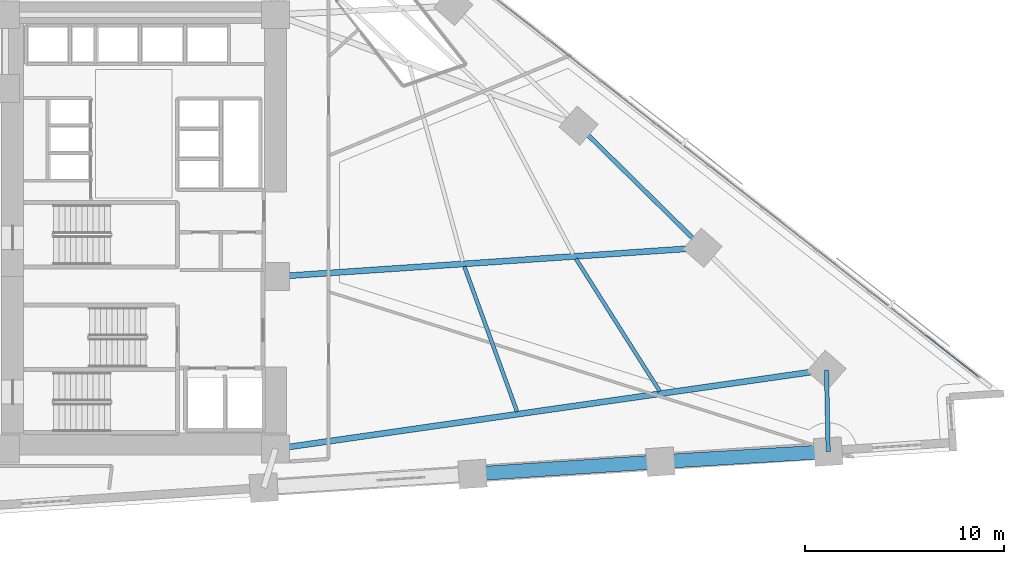
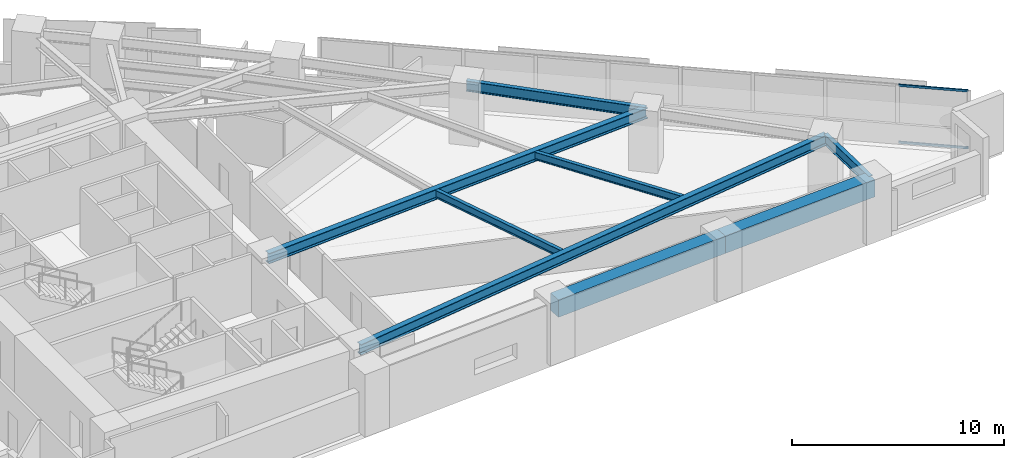
# One storey, part 3 of 16: 8 beams, 2 members, 1 element without a shape of its own.
"""IFC4 building model written with IfcOpenShell, lengths in metres."""

from ifc_helpers import new_model, si_unit, direction, frame, origin, origin_2d, place, context, subcontext, project, spatial, rectangle, hollow_rectangle, i_section, extrude, material, material_profile, profile_set, type_object, element, aggregate, save


model = new_model("IFC4")

# Units and contexts
model_context = context("Model", 3, precision=1e-05, world=origin(), true_north=direction((0.0, 1.0)))
body_context = subcontext(model_context, "Body", "Model", "MODEL_VIEW")
ifc_project = project(units=[si_unit("LENGTHUNIT", "METRE"), si_unit("AREAUNIT", "SQUARE_METRE"), si_unit("VOLUMEUNIT", "CUBIC_METRE"), si_unit("PLANEANGLEUNIT", "RADIAN"), si_unit("MASSUNIT", "GRAM", prefix="KILO")], contexts=[model_context])

# Site, building, storey
site_placement = place(None, origin())
site = spatial("IfcSite", under=ifc_project, at=site_placement, CompositionType="ELEMENT")
building_placement = place(site_placement, origin())
building = spatial("IfcBuilding", under=site, at=building_placement, Name="Narakoshi Arena Tower", CompositionType="ELEMENT")
storey_placement = place(building_placement, frame((0.0, 0.0, 77.699951171875)))
storey = spatial("IfcBuildingStorey", under=building, at=storey_placement, Name="L20", CompositionType="ELEMENT", Elevation=77.699951171875)

# Beams
ifc_material_1 = material(Name="Concrete C60/75", Category="concrete")
ifc_material_profile_1 = material_profile(ifc_material_1, rectangle(XDim=0.699951171875, YDim=1.0, at=origin_2d()), Name="RCB700x1000")
ifc_profile_set_1 = profile_set([ifc_material_profile_1], Name="Concrete C60/75")
beam_type_1 = type_object("IfcBeamType", Name="BM-CPL-1000", PredefinedType="BEAM", material=ifc_profile_set_1)
beam_1_placement = place(storey_placement, frame((95.44189453125, 33.43798828125, 2.840087890625), z_axis=(0.997857667494, 0.065422285367, 0.0), x_axis=(-0.065422285367, 0.997857667494, 0.0)))
element("IfcBeam", 1, at=beam_1_placement, inside=storey, type_object=beam_type_1, Name="L20 Perimeter Edge Girder 02", PredefinedType="BEAM", context=body_context, shape_type="SweptSolid", body=[
    extrude(rectangle(XDim=0.699951171875, YDim=1.0, at=origin_2d()), origin(), (0.0, 0.0, 1.0), 9.456298828125),
])
beam_2_placement = place(storey_placement, frame((104.8779296875, 34.056640625, 2.840087890625), z_axis=(0.998193929855, 0.060073941104, 0.0), x_axis=(-0.060073941104, 0.998193929855, 0.0)))
element("IfcBeam", 2, at=beam_2_placement, inside=storey, type_object=beam_type_1, Name="L20 Perimeter Edge Girder 03", PredefinedType="BEAM", context=body_context, shape_type="SweptSolid", body=[
    extrude(rectangle(XDim=0.699951171875, YDim=1.0, at=origin_2d()), origin(), (0.0, 0.0, 1.0), 8.436767578125),
])
ifc_material_2 = material(Name="Structural steel S355J2", Category="steel")
ifc_material_profile_2 = material_profile(ifc_material_2, i_section(OverallWidth=0.219970703125, OverallDepth=0.60009765625, WebThickness=0.011962890625, FlangeThickness=0.01904296875, FilletRadius=0.02392578125, at=origin_2d()), Name="IPE600")
ifc_profile_set_2 = profile_set([ifc_material_profile_2], Name="Structural steel S355J2")
beam_type_2 = type_object("IfcBeamType", Name="BM-EDGE-600", PredefinedType="BEAM", material=ifc_profile_set_2)
beam_3_placement = place(storey_placement, frame((113.299560546875, 34.5634765625, 3.0400390625), z_axis=(-0.020272933264, 0.99979448297, 0.0), x_axis=(-0.99979448297, -0.020272933264, 0.0)))
element("IfcBeam", 3, at=beam_3_placement, inside=storey, type_object=beam_type_2, Name="L20 Perimeter Edge Girder 04", PredefinedType="BEAM", context=body_context, shape_type="SweptSolid", body=[
    extrude(i_section(OverallWidth=0.219970703125, OverallDepth=0.60009765625, WebThickness=0.011962890625, FlangeThickness=0.01904296875, FilletRadius=0.02392578125, at=origin_2d()), origin(), (0.0, 0.0, 1.0), 4.1064453125),
])
beam_4_placement = place(storey_placement, frame((106.989990234375, 44.800537109375, 3.0400390625), z_axis=(-0.71256144736, 0.701609708981, 0.0), x_axis=(-0.701609708981, -0.71256144736, 0.0)))
element("IfcBeam", 4, at=beam_4_placement, inside=storey, type_object=beam_type_2, Name="L20 Perimeter Edge Girder 06", PredefinedType="BEAM", context=body_context, shape_type="SweptSolid", body=[
    extrude(i_section(OverallWidth=0.219970703125, OverallDepth=0.60009765625, WebThickness=0.011962890625, FlangeThickness=0.01904296875, FilletRadius=0.02392578125, at=origin_2d()), origin(), (0.0, 0.0, 1.0), 8.738525390625),
])
ifc_material_profile_3 = material_profile(ifc_material_2, i_section(OverallWidth=0.300048828125, OverallDepth=0.60009765625, WebThickness=0.015380859375, FlangeThickness=0.030029296875, FilletRadius=0.027099609375, at=origin_2d()), Name="HE600B")
ifc_profile_set_3 = profile_set([ifc_material_profile_3], Name="Structural steel S355J2")
beam_type_3 = type_object("IfcBeamType", Name="BM-PRI-600", PredefinedType="BEAM", material=ifc_profile_set_3)
beam_5_placement = place(storey_placement, frame((85.550048828125, 34.699951171875, 3.0400390625), z_axis=(0.989864586002, 0.142014440741, 0.0), x_axis=(-0.142014440741, 0.989864586002, 0.0)))
element("IfcBeam", 5, at=beam_5_placement, inside=storey, type_object=beam_type_3, Name="L20 Radial Primary Floor Girder 05", PredefinedType="BEAM", context=body_context, shape_type="SweptSolid", body=[
    extrude(i_section(OverallWidth=0.300048828125, OverallDepth=0.60009765625, WebThickness=0.015380859375, FlangeThickness=0.030029296875, FilletRadius=0.027099609375, at=origin_2d()), origin(), (0.0, 0.0, 1.0), 27.949462890625),
])
beam_6_placement = place(storey_placement, frame((85.550048828125, 43.35009765625, 3.0400390625), z_axis=(0.997719477205, 0.067496998498, 0.0), x_axis=(-0.067496998498, 0.997719477205, 0.0)))
element("IfcBeam", 6, at=beam_6_placement, inside=storey, type_object=beam_type_3, Name="L20 Radial Primary Floor Girder 06", PredefinedType="BEAM", context=body_context, shape_type="SweptSolid", body=[
    extrude(i_section(OverallWidth=0.300048828125, OverallDepth=0.60009765625, WebThickness=0.015380859375, FlangeThickness=0.030029296875, FilletRadius=0.027099609375, at=origin_2d()), origin(), (0.0, 0.0, 1.0), 21.489013671875),
])
ifc_material_profile_4 = material_profile(ifc_material_2, i_section(OverallWidth=0.18994140625, OverallDepth=0.449951171875, WebThickness=0.009521484375, FlangeThickness=0.0146484375, FilletRadius=0.02099609375, at=origin_2d()), Name="IPE450")
ifc_profile_set_4 = profile_set([ifc_material_profile_4], Name="Structural steel S355J2")
beam_type_4 = type_object("IfcBeamType", Name="BM-SEC-450", PredefinedType="JOIST", material=ifc_profile_set_4)
beam_7_placement = place(storey_placement, frame((97.677001953125, 36.573486328125, 3.114990234375), z_axis=(-0.341439671646, 0.939903692208, 0.0), x_axis=(-0.939903692208, -0.341439671646, 0.0)))
element("IfcBeam", 7, at=beam_7_placement, inside=storey, type_object=beam_type_4, Name="L20 Composite Secondary Floor Joist 01", PredefinedType="JOIST", context=body_context, shape_type="SweptSolid", body=[
    extrude(i_section(OverallWidth=0.18994140625, OverallDepth=0.449951171875, WebThickness=0.009521484375, FlangeThickness=0.0146484375, FilletRadius=0.02099609375, at=origin_2d()), origin(), (0.0, 0.0, 1.0), 7.75390625),
])
beam_8_placement = place(storey_placement, frame((104.84423828125, 37.592529296875, 3.114990234375), z_axis=(-0.534774912476, 0.844994552046, 0.0), x_axis=(-0.844994552046, -0.534774912476, 0.0)))
element("IfcBeam", 8, at=beam_8_placement, inside=storey, type_object=beam_type_4, Name="L20 Composite Secondary Floor Joist 02", PredefinedType="JOIST", context=body_context, shape_type="SweptSolid", body=[
    extrude(i_section(OverallWidth=0.18994140625, OverallDepth=0.449951171875, WebThickness=0.009521484375, FlangeThickness=0.0146484375, FilletRadius=0.02099609375, at=origin_2d()), origin(), (0.0, 0.0, 1.0), 7.880126953125),
])

# Curtain wall, members
ifc_material_3 = material(Name="Anodised bronze aluminium 6063-T6", Category="aluminium")
curtain_wall_type = type_object("IfcCurtainWallType", Name="CW-HYP-LOW", PredefinedType="NOTDEFINED", material=ifc_material_3)
curtain_wall_placement = place(storey_placement, origin())
curtain_wall = element("IfcCurtainWall", 9, at=curtain_wall_placement, inside=storey, type_object=curtain_wall_type, Name="L20 Folded Hypotenuse Curtain Wall 1-1", PredefinedType="NOTDEFINED")
ifc_material_profile_5 = material_profile(ifc_material_3, hollow_rectangle(XDim=0.06494140625, YDim=0.1298828125, WallThickness=0.00390625, OuterFilletRadius=0.0048828125, at=origin_2d()), Name="TRN130x65x4")
ifc_profile_set_5 = profile_set([ifc_material_profile_5], Name="Anodised bronze aluminium 6063-T6")
member_type = type_object("IfcMemberType", Name="MEM-TRN-130", PredefinedType="USERDEFINED", material=ifc_profile_set_5)
member_1_placement = place(storey_placement, frame((120.802978515625, 38.359130859375, 0.032470703125), z_axis=(-0.787347227026, 0.616509808596, 0.0), x_axis=(-0.616509808596, -0.787347227026, 0.0)))
member_1 = element("IfcMember", 10, at=member_1_placement, type_object=member_type, Name="CW-01 transom 1.1", ObjectType="TRANSOM", PredefinedType="USERDEFINED", context=body_context, shape_type="SweptSolid", body=[
    extrude(hollow_rectangle(XDim=0.06494140625, YDim=0.1298828125, WallThickness=0.00390625, OuterFilletRadius=0.0048828125, at=origin_2d()), origin(), (0.0, 0.0, 1.0), 3.331298828125),
])
member_2_placement = place(storey_placement, frame((120.802978515625, 38.359130859375, 3.3076171875), z_axis=(-0.787347227026, 0.616509808596, 0.0), x_axis=(-0.616509808596, -0.787347227026, 0.0)))
member_2 = element("IfcMember", 11, at=member_2_placement, type_object=member_type, Name="CW-01 transom 1.2", ObjectType="TRANSOM", PredefinedType="USERDEFINED", context=body_context, shape_type="SweptSolid", body=[
    extrude(hollow_rectangle(XDim=0.06494140625, YDim=0.1298828125, WallThickness=0.00390625, OuterFilletRadius=0.0048828125, at=origin_2d()), origin(), (0.0, 0.0, 1.0), 3.331298828125),
])
aggregate(curtain_wall, [member_1, member_2])

save(model, "model.ifc")
